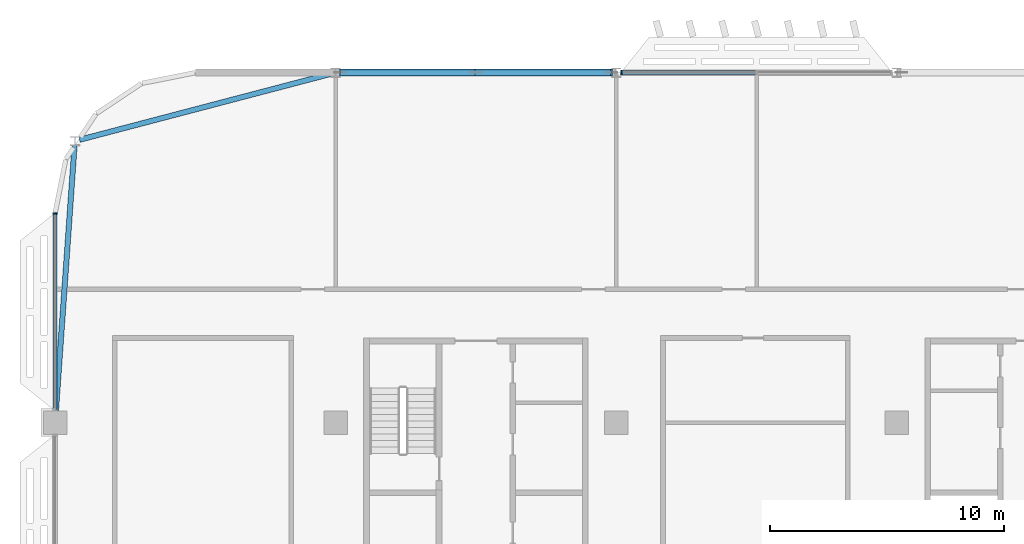
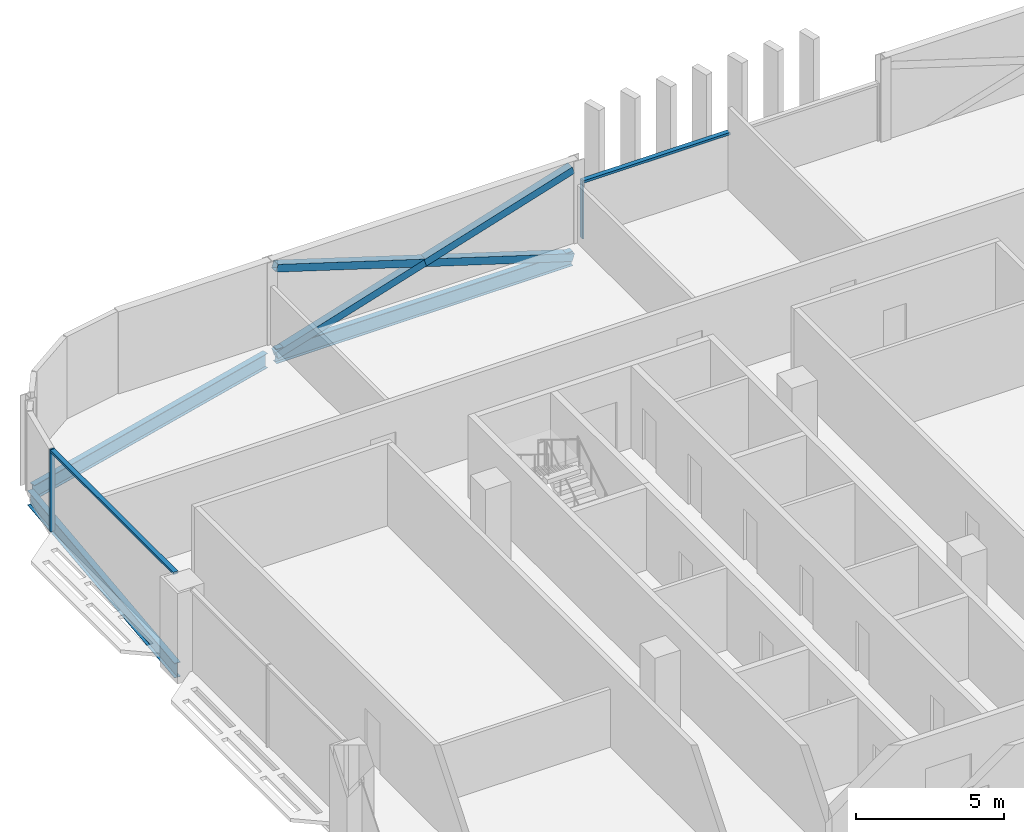
# One storey, part 9 of 33: 7 members, 3 beams, 2 elements without a shape of their own.
"""IFC4 building model written with IfcOpenShell, lengths in metres."""

from ifc_helpers import new_model, si_unit, direction, frame, origin, origin_2d, place, context, subcontext, project, spatial, rectangle, hollow_rectangle, i_section, extrude, material, material_profile, profile_set, type_object, element, aggregate, save


model = new_model("IFC4")

# Units and contexts
model_context = context("Model", 3, precision=1e-05, world=origin(), true_north=direction((0.0, 1.0)))
body_context = subcontext(model_context, "Body", "Model", "MODEL_VIEW")
ifc_project = project(units=[si_unit("LENGTHUNIT", "METRE"), si_unit("AREAUNIT", "SQUARE_METRE"), si_unit("VOLUMEUNIT", "CUBIC_METRE"), si_unit("PLANEANGLEUNIT", "RADIAN"), si_unit("MASSUNIT", "GRAM", prefix="KILO")], contexts=[model_context])

# Site, building, storey
site_placement = place(None, origin())
site = spatial("IfcSite", under=ifc_project, at=site_placement, CompositionType="ELEMENT")
building_placement = place(site_placement, origin())
building = spatial("IfcBuilding", under=site, at=building_placement, Name="Mahtab Terrace Research Tower", CompositionType="ELEMENT")
storey_placement = place(building_placement, frame((0.0, 0.0, 255.199951171875)))
storey = spatial("IfcBuildingStorey", under=building, at=storey_placement, Name="L62", CompositionType="ELEMENT", Elevation=255.199951171875)

# Members
ifc_material_1 = material(Name="Steel ASTM A500 Gr C", Category="steel")
ifc_material_profile_1 = material_profile(ifc_material_1, hollow_rectangle(XDim=0.3046875, YDim=0.3046875, WallThickness=0.015869140625, at=origin_2d()), Name="HSS12X12X5/8")
ifc_profile_set_1 = profile_set([ifc_material_profile_1], Name="Steel ASTM A500 Gr C")
member_type_1 = type_object("IfcMemberType", Name="HSS 12x12x5/8 brace XB121258", PredefinedType="BRACE", material=ifc_profile_set_1)
member_1_placement = place(storey_placement, frame((-18.199462890625, 26.472900390625, -0.581298828125), z_axis=(-0.954704930232, 0.0, 0.297554190343), x_axis=(0.0, -1.0, 0.0)))
element("IfcMember", 1, at=member_1_placement, inside=storey, type_object=member_type_1, Name="Exoskeleton brace L62 07 a", PredefinedType="BRACE", context=body_context, shape_type="SweptSolid", body=[
    extrude(hollow_rectangle(XDim=0.3046875, YDim=0.3046875, WallThickness=0.015869140625, at=origin_2d()), origin(), (0.0, 0.0, 1.0), 12.1513671875),
])
for number, where, z_axis, x_axis, name in (
    (2, (-29.800537109375, 26.472900390625, -0.581298828125), (0.954704930232, 0.0, 0.297554190343), (0.0, 1.0, 0.0), "Exoskeleton brace L62 07 b1"),
    (3, (-24.0, 26.472900390625, 1.2265625), (0.954704930232, 0.0, 0.297554190343), (0.0, 1.0, 0.0), "Exoskeleton brace L62 07 b2"),
):
    element("IfcMember", number, at=place(storey_placement, frame(where, z_axis=z_axis, x_axis=x_axis)), inside=storey, type_object=member_type_1, Name=name, PredefinedType="BRACE", context=body_context, shape_type="SweptSolid", body=[
        extrude(hollow_rectangle(XDim=0.3046875, YDim=0.3046875, WallThickness=0.015869140625, at=origin_2d()), origin(), (0.0, 0.0, 1.0), 6.07568359375),
    ])

# Curtain wall, member
ifc_material_2 = material(Name="Office ribbon curtain wall")
curtain_wall_type = type_object("IfcCurtainWallType", Name="Office ribbon curtain wall", PredefinedType="NOTDEFINED", material=ifc_material_2)
curtain_wall_1_placement = place(storey_placement, origin())
curtain_wall_1 = element("IfcCurtainWall", 4, at=curtain_wall_1_placement, inside=storey, type_object=curtain_wall_type, Name="EN.L62.3.9", PredefinedType="NOTDEFINED")
ifc_material_3 = material(Name="Natural anodised aluminium", Category="aluminium")
ifc_material_profile_2 = material_profile(ifc_material_3, rectangle(XDim=0.179931640625, YDim=0.06005859375, at=origin_2d()), Name="MULLION 60x180")
ifc_profile_set_2 = profile_set([ifc_material_profile_2], Name="Natural anodised aluminium")
member_type_2 = type_object("IfcMemberType", Name="Office ribbon curtain wall mullion", PredefinedType="MULLION", material=ifc_profile_set_2)
member_2_placement = place(storey_placement, frame((-17.777099609375, 26.472900390625, 0.0), z_axis=(0.0, 0.0, 1.0), x_axis=(0.0, -1.0, 0.0)))
member_2 = element("IfcMember", 5, at=member_2_placement, type_object=member_type_2, Name="CWO-7 mullion 3", PredefinedType="MULLION", context=body_context, shape_type="SweptSolid", body=[
    extrude(rectangle(XDim=0.179931640625, YDim=0.06005859375, at=origin_2d()), origin(), (0.0, 0.0, 1.0), 2.4013671875),
])

curtain_wall_2_placement = place(storey_placement, origin())
curtain_wall_2 = element("IfcCurtainWall", 6, at=curtain_wall_2_placement, inside=storey, type_object=curtain_wall_type, Name="EN.L62.8.17", PredefinedType="NOTDEFINED")
member_3_placement = place(storey_placement, frame((-42.0, 20.443115234375, 0.0), z_axis=(0.0, 0.0, 1.0), x_axis=(1.0, 0.0, 0.0)))
member_3 = element("IfcMember", 7, at=member_3_placement, type_object=member_type_2, Name="CWO-7 mullion 1", PredefinedType="MULLION", context=body_context, shape_type="SweptSolid", body=[
    extrude(rectangle(XDim=0.179931640625, YDim=0.06005859375, at=origin_2d()), origin(), (0.0, 0.0, 1.0), 3.400146484375),
])

# Member
ifc_material_profile_3 = material_profile(ifc_material_3, rectangle(XDim=0.179931640625, YDim=0.10009765625, at=origin_2d()), Name="TRANSOM 100x180")
ifc_profile_set_3 = profile_set([ifc_material_profile_3], Name="Natural anodised aluminium")
member_type_3 = type_object("IfcMemberType", Name="Office ribbon curtain wall transom", PredefinedType="USERDEFINED", material=ifc_profile_set_3)
member_4_placement = place(storey_placement, frame((-12.030029296875, 26.472900390625, 2.351318359375), z_axis=(-1.0, 0.0, 0.0), x_axis=(0.0, -1.0, 0.0)))
member_4 = element("IfcMember", 8, at=member_4_placement, type_object=member_type_3, Name="CWO-7 transom 2", ObjectType="TRANSOM", PredefinedType="USERDEFINED", context=body_context, shape_type="SweptSolid", body=[
    extrude(rectangle(XDim=0.179931640625, YDim=0.10009765625, at=origin_2d()), origin(), (0.0, 0.0, 1.0), 5.717041015625),
])

aggregate(curtain_wall_1, [member_2, member_4])

member_5_placement = place(storey_placement, frame((-42.0, 20.4130859375, 3.35009765625), z_axis=(0.0, -1.0, 0.0), x_axis=(1.0, 0.0, 0.0)))
member_5 = element("IfcMember", 9, at=member_5_placement, type_object=member_type_3, Name="CWO-7 transom 1", ObjectType="TRANSOM", PredefinedType="USERDEFINED", context=body_context, shape_type="SweptSolid", body=[
    extrude(rectangle(XDim=0.179931640625, YDim=0.10009765625, at=origin_2d()), origin(), (0.0, 0.0, 1.0), 8.35302734375),
])

aggregate(curtain_wall_2, [member_3, member_5])

# Beams
ifc_material_4 = material(Name="Steel ASTM A992 Gr 50", Category="steel")
ifc_material_profile_4 = material_profile(ifc_material_4, i_section(OverallWidth=0.228271484375, OverallDepth=0.607177734375, WebThickness=0.01123046875, FlangeThickness=0.017333984375, at=origin_2d()), Name="W24X76")
ifc_profile_set_4 = profile_set([ifc_material_profile_4], Name="Steel ASTM A992 Gr 50")
beam_type = type_object("IfcBeamType", Name="W24x76 beam BS2476", PredefinedType="BEAM", material=ifc_profile_set_4)
beam_1_placement = place(storey_placement, frame((-18.199462890625, 26.472900390625, -0.6435546875), z_axis=(-1.0, 0.0, 0.0), x_axis=(0.0, -1.0, 0.0)))
element("IfcBeam", 10, at=beam_1_placement, inside=storey, type_object=beam_type, Name="Spandrel beam L62 07", PredefinedType="BEAM", context=body_context, shape_type="SweptSolid", body=[
    extrude(i_section(OverallWidth=0.228271484375, OverallDepth=0.607177734375, WebThickness=0.01123046875, FlangeThickness=0.017333984375, at=origin_2d()), origin(), (0.0, 0.0, 1.0), 11.60107421875),
])
beam_2_placement = place(storey_placement, frame((-30.199462890625, 26.420654296875, -0.6435546875), z_axis=(-0.967252058434, -0.253817760323, 0.0), x_axis=(0.253817760323, -0.967252058434, 0.0)))
element("IfcBeam", 11, at=beam_2_placement, inside=storey, type_object=beam_type, Name="Spandrel beam L62 08", PredefinedType="BEAM", context=body_context, shape_type="SweptSolid", body=[
    extrude(i_section(OverallWidth=0.228271484375, OverallDepth=0.607177734375, WebThickness=0.01123046875, FlangeThickness=0.017333984375, at=origin_2d()), origin(), (0.0, 0.0, 1.0), 11.119140625),
])
beam_3_placement = place(storey_placement, frame((-41.16748046875, 23.35302734375, -0.6435546875), z_axis=(-0.070060954326, -0.997542712208, 0.0), x_axis=(0.997542712208, -0.070060954326, 0.0)))
element("IfcBeam", 12, at=beam_3_placement, inside=storey, type_object=beam_type, Name="Spandrel beam L62 09", PredefinedType="BEAM", context=body_context, shape_type="SweptSolid", body=[
    extrude(i_section(OverallWidth=0.228271484375, OverallDepth=0.607177734375, WebThickness=0.01123046875, FlangeThickness=0.017333984375, at=origin_2d()), origin(), (0.0, 0.0, 1.0), 11.381103515625),
])

save(model, "model.ifc")
